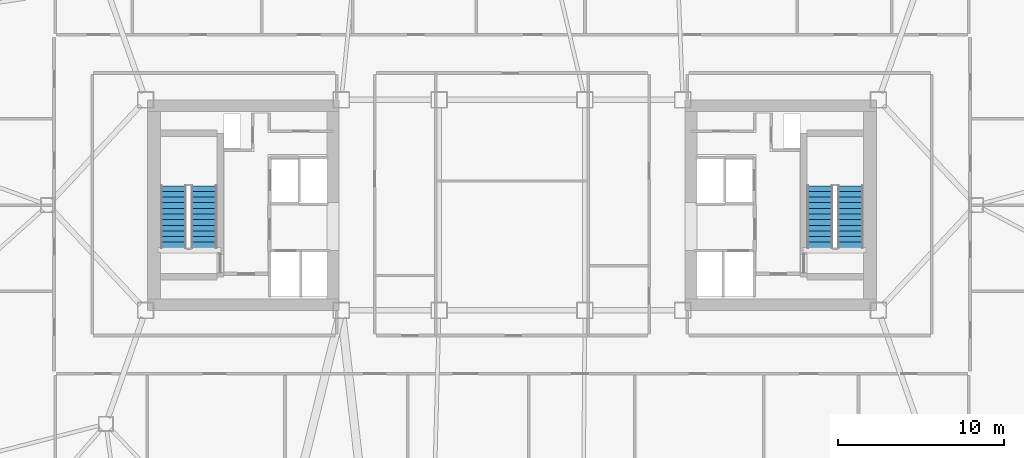
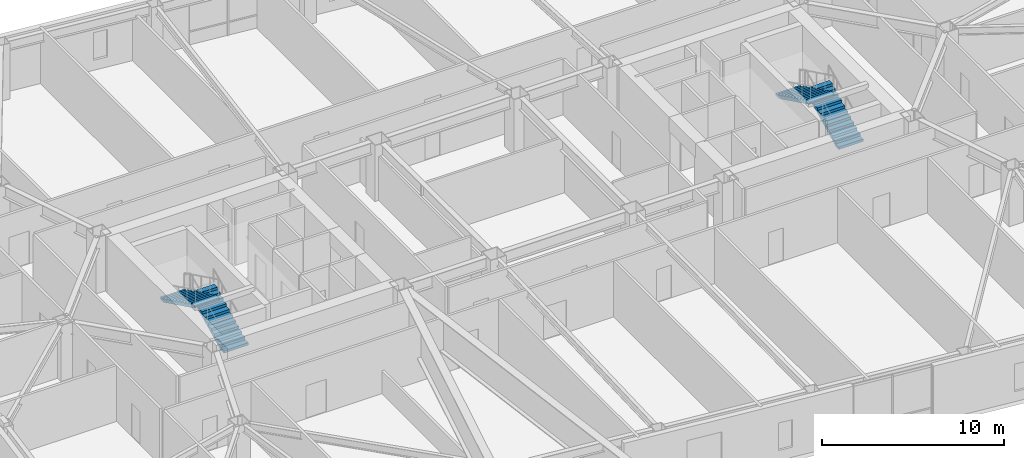
# One storey, part 17 of 22: 4 stair flights, 2 elements without a shape of their own.
"""IFC4 building model written with IfcOpenShell, lengths in metres."""

from ifc_helpers import new_model, si_unit, direction, frame, origin, place, context, subcontext, project, spatial, polyline, outline, extrude, material, type_object, element, aggregate, save


model = new_model("IFC4")

# Units and contexts
model_context = context("Model", 3, precision=1e-05, world=origin(), true_north=direction((0.0, 1.0)))
body_context = subcontext(model_context, "Body", "Model", "MODEL_VIEW")
ifc_project = project(units=[si_unit("LENGTHUNIT", "METRE"), si_unit("AREAUNIT", "SQUARE_METRE"), si_unit("VOLUMEUNIT", "CUBIC_METRE"), si_unit("PLANEANGLEUNIT", "RADIAN"), si_unit("MASSUNIT", "GRAM", prefix="KILO")], contexts=[model_context])

# Site, building, storey
site_placement = place(None, origin())
site = spatial("IfcSite", under=ifc_project, at=site_placement, CompositionType="ELEMENT")
building_placement = place(site_placement, origin())
building = spatial("IfcBuilding", under=site, at=building_placement, Name="Tavrogorsk Clinical Tower", CompositionType="ELEMENT")
storey_placement = place(building_placement, frame((0.0, 0.0, 93.39990234375)))
storey = spatial("IfcBuildingStorey", under=building, at=storey_placement, Name="L20", CompositionType="ELEMENT", Elevation=93.39990234375)

# Stair, stair flights
ifc_material_1 = material(Name="Concrete B60", Category="concrete")
stair_type = type_object("IfcStairType", Name="CoreStairAssembly", PredefinedType="HALF_TURN_STAIR", material=ifc_material_1)
stair_1_placement = place(storey_placement, origin())
stair_1 = element("IfcStair", 1, at=stair_1_placement, inside=storey, type_object=stair_type, Name="L20 ST-W", PredefinedType="HALF_TURN_STAIR")
ifc_material_2 = material(Name="Concrete B60", Category="concrete")
stair_flight_type = type_object("IfcStairFlightType", Name="CoreStairFlight", PredefinedType="STRAIGHT", material=ifc_material_2)
stair_flight_1_placement = place(storey_placement, frame((-18.574951171875, -2.574951171875, 0.0), z_axis=(0.0, 0.0, 1.0), x_axis=(0.0, 1.0, 0.0)))
stair_flight_1 = element("IfcStairFlight", 2, at=stair_flight_1_placement, type_object=stair_flight_type, Name="ST-W flight 1", NumberOfRisers=12, NumberOfTreads=11, PredefinedType="STRAIGHT", RiserHeight=0.166666667, TreadLength=0.34, context=body_context, shape_type="SweptSolid", body=[
    extrude(outline(polyline([(0.0, 0.0), (0.0, 0.166748046875), (0.340087890625, 0.166748046875), (0.340087890625, 0.333251953125), (0.679931640625, 0.333251953125), (0.679931640625, 0.5), (1.02001953125, 0.5), (1.02001953125, 0.666748046875), (1.360107421875, 0.666748046875), (1.360107421875, 0.833251953125), (1.699951171875, 0.833251953125), (1.699951171875, 1.0), (2.0400390625, 1.0), (2.0400390625, 1.166748046875), (2.3798828125, 1.166748046875), (2.3798828125, 1.333251953125), (2.719970703125, 1.333251953125), (2.719970703125, 1.5), (3.06005859375, 1.5), (3.06005859375, 1.666748046875), (3.39990234375, 1.666748046875), (3.39990234375, 1.833251953125), (3.739990234375, 1.833251953125), (3.739990234375, 2.0), (3.739990234375, 1.66650390625), (0.340576171875, 0.0), (0.0, 0.0)])), frame((0.0, 0.77490234375, 0.0), z_axis=(0.0, -1.0, 0.0), x_axis=(1.0, 0.0, 0.0)), (0.0, 0.0, 1.0), 1.550048828125),
])
stair_flight_2_placement = place(storey_placement, frame((-20.425048828125, 1.1650390625, 2.0), z_axis=(0.0, 0.0, 1.0), x_axis=(0.0, -1.0, 0.0)))
stair_flight_2 = element("IfcStairFlight", 3, at=stair_flight_2_placement, type_object=stair_flight_type, Name="ST-W flight 2", NumberOfRisers=12, NumberOfTreads=11, PredefinedType="STRAIGHT", RiserHeight=0.166666667, TreadLength=0.34, context=body_context, shape_type="SweptSolid", body=[
    extrude(outline(polyline([(0.0, 0.0), (0.0, 0.166748046875), (0.340087890625, 0.166748046875), (0.340087890625, 0.333251953125), (0.679931640625, 0.333251953125), (0.679931640625, 0.5), (1.02001953125, 0.5), (1.02001953125, 0.666748046875), (1.360107421875, 0.666748046875), (1.360107421875, 0.833251953125), (1.699951171875, 0.833251953125), (1.699951171875, 1.0), (2.0400390625, 1.0), (2.0400390625, 1.166748046875), (2.3798828125, 1.166748046875), (2.3798828125, 1.333251953125), (2.719970703125, 1.333251953125), (2.719970703125, 1.5), (3.06005859375, 1.5), (3.06005859375, 1.666748046875), (3.39990234375, 1.666748046875), (3.39990234375, 1.833251953125), (3.739990234375, 1.833251953125), (3.739990234375, 2.0), (3.739990234375, 1.66650390625), (0.340576171875, 0.0), (0.0, 0.0)])), frame((0.0, 0.77490234375, 0.0), z_axis=(0.0, -1.0, 0.0), x_axis=(1.0, 0.0, 0.0)), (0.0, 0.0, 1.0), 1.550048828125),
])
aggregate(stair_1, [stair_flight_1, stair_flight_2])

stair_2_placement = place(storey_placement, origin())
stair_2 = element("IfcStair", 4, at=stair_2_placement, inside=storey, type_object=stair_type, Name="L20 ST-E", PredefinedType="HALF_TURN_STAIR")
stair_flight_3_placement = place(storey_placement, frame((20.425048828125, -2.574951171875, 0.0), z_axis=(0.0, 0.0, 1.0), x_axis=(0.0, 1.0, 0.0)))
stair_flight_3 = element("IfcStairFlight", 5, at=stair_flight_3_placement, type_object=stair_flight_type, Name="ST-E flight 1", NumberOfRisers=12, NumberOfTreads=11, PredefinedType="STRAIGHT", RiserHeight=0.166666667, TreadLength=0.34, context=body_context, shape_type="SweptSolid", body=[
    extrude(outline(polyline([(0.0, 0.0), (0.0, 0.166748046875), (0.340087890625, 0.166748046875), (0.340087890625, 0.333251953125), (0.679931640625, 0.333251953125), (0.679931640625, 0.5), (1.02001953125, 0.5), (1.02001953125, 0.666748046875), (1.360107421875, 0.666748046875), (1.360107421875, 0.833251953125), (1.699951171875, 0.833251953125), (1.699951171875, 1.0), (2.0400390625, 1.0), (2.0400390625, 1.166748046875), (2.3798828125, 1.166748046875), (2.3798828125, 1.333251953125), (2.719970703125, 1.333251953125), (2.719970703125, 1.5), (3.06005859375, 1.5), (3.06005859375, 1.666748046875), (3.39990234375, 1.666748046875), (3.39990234375, 1.833251953125), (3.739990234375, 1.833251953125), (3.739990234375, 2.0), (3.739990234375, 1.66650390625), (0.340576171875, 0.0), (0.0, 0.0)])), frame((0.0, 0.77490234375, 0.0), z_axis=(0.0, -1.0, 0.0), x_axis=(1.0, 0.0, 0.0)), (0.0, 0.0, 1.0), 1.550048828125),
])
stair_flight_4_placement = place(storey_placement, frame((18.574951171875, 1.1650390625, 2.0), z_axis=(0.0, 0.0, 1.0), x_axis=(0.0, -1.0, 0.0)))
stair_flight_4 = element("IfcStairFlight", 6, at=stair_flight_4_placement, type_object=stair_flight_type, Name="ST-E flight 2", NumberOfRisers=12, NumberOfTreads=11, PredefinedType="STRAIGHT", RiserHeight=0.166666667, TreadLength=0.34, context=body_context, shape_type="SweptSolid", body=[
    extrude(outline(polyline([(0.0, 0.0), (0.0, 0.166748046875), (0.340087890625, 0.166748046875), (0.340087890625, 0.333251953125), (0.679931640625, 0.333251953125), (0.679931640625, 0.5), (1.02001953125, 0.5), (1.02001953125, 0.666748046875), (1.360107421875, 0.666748046875), (1.360107421875, 0.833251953125), (1.699951171875, 0.833251953125), (1.699951171875, 1.0), (2.0400390625, 1.0), (2.0400390625, 1.166748046875), (2.3798828125, 1.166748046875), (2.3798828125, 1.333251953125), (2.719970703125, 1.333251953125), (2.719970703125, 1.5), (3.06005859375, 1.5), (3.06005859375, 1.666748046875), (3.39990234375, 1.666748046875), (3.39990234375, 1.833251953125), (3.739990234375, 1.833251953125), (3.739990234375, 2.0), (3.739990234375, 1.66650390625), (0.340576171875, 0.0), (0.0, 0.0)])), frame((0.0, 0.77490234375, 0.0), z_axis=(0.0, -1.0, 0.0), x_axis=(1.0, 0.0, 0.0)), (0.0, 0.0, 1.0), 1.550048828125),
])
aggregate(stair_2, [stair_flight_3, stair_flight_4])

save(model, "model.ifc")
